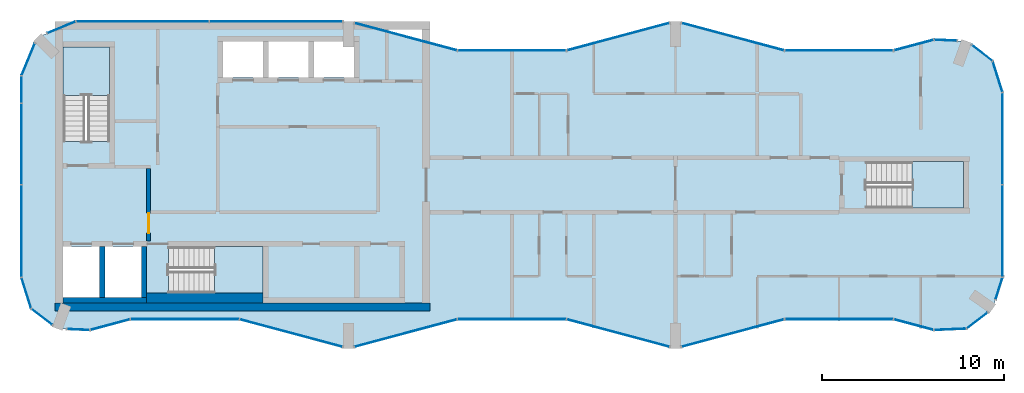
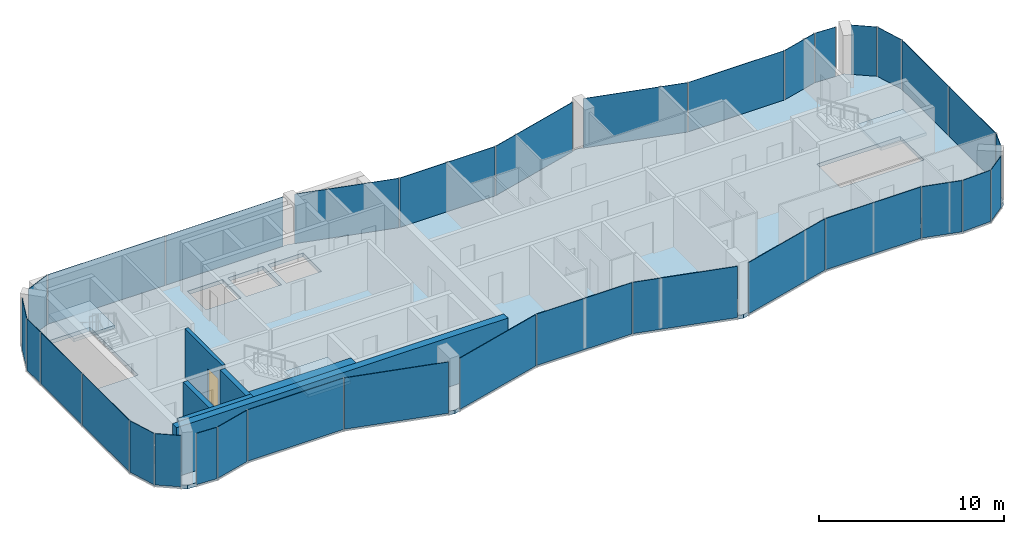
# One storey, part 6 of 10: 33 plates, 6 walls, 4 slabs, 1 door, 1 opening, 32 elements without a shape of their own.
"""IFC4 building model written with IfcOpenShell, lengths in metres."""

import ifcopenshell
import ifcopenshell.guid

model = None  # the IFC model being written
_history = None  # IfcOwnerHistory: only IFC2X3 demands one
_inside = {}  # id of a spatial element -> (the spatial element, [elements in it])
_under = {}  # id of a project, library or spatial element -> (it, [spatial elements below it])
_declared = {}  # id of a project -> (the project, [libraries it declares])
_typed = {}  # id of a type object -> (the type object, [elements of that type])
_made_of = {}  # id of a material, layer set ... -> (it, [elements and type objects made of it])


def new_model(schema):
    """Start an empty IFC model of exactly this schema.

    Asked for "IFC4X3", IfcOpenShell would pick the latest addendum, in which some entities
    have other attributes; the version numbers below select the first issue.
    IFC2X3 requires an IfcOwnerHistory on every rooted entity: one is made here for all.
    """
    global model, _history
    if schema == "IFC4X3":
        model = ifcopenshell.file(schema_version=(4, 3, 0, 0))
    else:
        model = ifcopenshell.file(schema=schema)
    _inside.clear()
    _under.clear()
    _declared.clear()
    _typed.clear()
    _made_of.clear()
    _history = None
    if model.schema == "IFC2X3":
        org = make("IfcOrganization", Name="unknown")
        user = make(
            "IfcPersonAndOrganization",
            ThePerson=make("IfcPerson", FamilyName="unknown"),
            TheOrganization=org,
        )
        app = make(
            "IfcApplication",
            ApplicationDeveloper=org,
            Version="unknown",
            ApplicationFullName="unknown",
            ApplicationIdentifier="unknown",
        )
        _history = make(
            "IfcOwnerHistory",
            OwningUser=user,
            OwningApplication=app,
            ChangeAction="ADDED",
            CreationDate=0,
        )
    return model


def make(cls, **values):
    """One entity of the class cls with the attributes given. An attribute that is None is left unset."""
    return model.create_entity(
        cls, **{name: value for name, value in values.items() if value is not None}
    )


def rooted(cls, **values):
    """An entity with a GlobalId (a new one), such as an element, a storey or a relation."""
    return make(cls, GlobalId=ifcopenshell.guid.new(), OwnerHistory=_history, **values)


def si_unit(unit_type, name, prefix=None):
    """IfcSIUnit, for example si_unit("LENGTHUNIT", "METRE", prefix="MILLI")."""
    return make("IfcSIUnit", UnitType=unit_type, Prefix=prefix, Name=name)


def assignment(units):
    """IfcUnitAssignment: the units of a project."""
    return None if units is None else make("IfcUnitAssignment", Units=units)


def point(xyz):
    """IfcCartesianPoint."""
    return None if xyz is None else make("IfcCartesianPoint", Coordinates=xyz)


def direction(xyz):
    """IfcDirection."""
    return None if xyz is None else make("IfcDirection", DirectionRatios=xyz)


def frame(location, z_axis=None, x_axis=None):
    """IfcAxis2Placement3D, a coordinate frame: its origin and axes. An axis left out is left unset."""
    return make(
        "IfcAxis2Placement3D",
        Location=point(location),
        Axis=direction(z_axis),
        RefDirection=direction(x_axis),
    )


def frame_2d(location, x_axis=None):
    """IfcAxis2Placement2D, a coordinate frame in the plane: its origin and x axis."""
    return make(
        "IfcAxis2Placement2D", Location=point(location), RefDirection=direction(x_axis)
    )


def origin():
    """The frame at (0, 0, 0) with its axes left unset."""
    return frame((0.0, 0.0, 0.0))


def origin_2d():
    """The frame at (0, 0) in the plane with its x axis left unset."""
    return frame_2d((0.0, 0.0))


def place(relative_to, where):
    """IfcLocalPlacement: puts the frame where relative to a parent placement (None: the world)."""
    return make(
        "IfcLocalPlacement", PlacementRelTo=relative_to, RelativePlacement=where
    )


def context(
    kind, dimensions, precision=None, world=None, true_north=None, identifier=None
):
    """IfcGeometricRepresentationContext, for example the 3D "Model" context."""
    return make(
        "IfcGeometricRepresentationContext",
        ContextIdentifier=identifier,
        ContextType=kind,
        CoordinateSpaceDimension=dimensions,
        Precision=precision,
        WorldCoordinateSystem=world,
        TrueNorth=true_north,
    )


def subcontext(parent, identifier, kind, view, scale=None):
    """IfcGeometricRepresentationSubContext, for example "Body" below "Model"."""
    return make(
        "IfcGeometricRepresentationSubContext",
        ContextIdentifier=identifier,
        ContextType=kind,
        ParentContext=parent,
        TargetScale=scale,
        TargetView=view,
    )


def project(units=None, contexts=None):
    """IfcProject with its units and contexts."""
    return rooted(
        "IfcProject",
        Name="project",
        RepresentationContexts=contexts,
        UnitsInContext=assignment(units),
    )


def spatial(cls, under=None, at=None, **own):
    """A site, building, storey or space (cls), placed at a placement, below another one or the project."""
    s = rooted(cls, ObjectPlacement=at, **own)
    if under is not None:
        _under.setdefault(under.id(), (under, []))[1].append(s)
    return s


def polyline(points):
    """IfcPolyline through the points."""
    return make("IfcPolyline", Points=[point(p) for p in points])


def profile(cls, at=None, kind="AREA", **sizes):
    """A parametric profile (cls). Its sizes go by their IFC names, for example OverallWidth=200.0."""
    return make(cls, ProfileType=kind, Position=at, **sizes)


def rectangle(**sizes):
    """IfcRectangleProfileDef."""
    return profile("IfcRectangleProfileDef", **sizes)


def outline(outer, holes=None, kind="AREA"):
    """IfcArbitraryClosedProfileDef: a profile drawn as a closed curve; with holes, ...WithVoids."""
    if holes is None:
        return make("IfcArbitraryClosedProfileDef", ProfileType=kind, OuterCurve=outer)
    return make(
        "IfcArbitraryProfileDefWithVoids",
        ProfileType=kind,
        OuterCurve=outer,
        InnerCurves=holes,
    )


def extrude(swept, where, along, depth):
    """IfcExtrudedAreaSolid: the profile swept, set in the frame where, extruded along a direction by depth."""
    return make(
        "IfcExtrudedAreaSolid",
        SweptArea=swept,
        Position=where,
        ExtrudedDirection=direction(along),
        Depth=depth,
    )


def shape(context_of_items, identifier, shape_type, items):
    """IfcShapeRepresentation: the items that make up one representation, for example the "Body"."""
    return make(
        "IfcShapeRepresentation",
        ContextOfItems=context_of_items,
        RepresentationIdentifier=identifier,
        RepresentationType=shape_type,
        Items=items,
    )


def material(Name=None, Category=None):
    """IfcMaterial."""
    return make("IfcMaterial", Name=Name, Category=Category)


def layer(
    of_material, thickness, ventilated=None, Name=None, Category=None, Priority=None
):
    """IfcMaterialLayer: one layer of a wall or slab, of a material (None: an air gap)."""
    return make(
        "IfcMaterialLayer",
        Material=of_material,
        LayerThickness=thickness,
        IsVentilated=ventilated,
        Name=Name,
        Category=Category,
        Priority=Priority,
    )


def layer_set(layers, Name=None):
    """IfcMaterialLayerSet."""
    return make("IfcMaterialLayerSet", MaterialLayers=layers, LayerSetName=Name)


def made_of(thing, what):
    """Note that an element or type object is made of a material, layer set ...; save() writes the relation."""
    if what is not None:
        _made_of.setdefault(what.id(), (what, []))[1].append(thing)
    return thing


def type_object(cls, material=None, **own):
    """A type object (cls), such as IfcWallType, which elements share."""
    return made_of(rooted(cls, **own), material)


def element(
    cls,
    number,
    at=None,
    inside=None,
    cuts=None,
    type_object=None,
    material=None,
    context=None,
    identifier="Body",
    shape_type=None,
    held_by="IfcProductDefinitionShape",
    body=None,
    shapes=None,
    **own,
):
    """One element of the class cls, such as IfcWall. Its Tag is "e" and its number.

    at: its placement. inside: the storey or other place that contains it. cuts: it is an
    opening in that element (IfcRelVoidsElement). A single representation is given by context,
    identifier, shape_type and body (its items); several are given by shapes. held_by: the class
    of the entity that holds the representations. save() writes the other relations.
    """
    e = rooted(cls, Tag="e%d" % number, ObjectPlacement=at, **own)
    if body is not None:
        shapes = [shape(context, identifier, shape_type, body)]
    if shapes is not None:
        e.Representation = make(held_by, Representations=shapes)
    if inside is not None:
        _inside.setdefault(inside.id(), (inside, []))[1].append(e)
    if cuts is not None:
        rooted(
            "IfcRelVoidsElement", RelatingBuildingElement=cuts, RelatedOpeningElement=e
        )
    if type_object is not None:
        _typed.setdefault(type_object.id(), (type_object, []))[1].append(e)
    return made_of(e, material)


def fill(opening, filler):
    """IfcRelFillsElement: the door or window that sits in an opening."""
    return rooted(
        "IfcRelFillsElement",
        RelatingOpeningElement=opening,
        RelatedBuildingElement=filler,
    )


def aggregate(whole, parts):
    """IfcRelAggregates: a whole, such as a stair, and the parts it consists of."""
    return rooted("IfcRelAggregates", RelatingObject=whole, RelatedObjects=parts)


def save(model, path):
    """Write the relations noted so far, then the file.

    IfcRelAggregates (storeys below a building ...), IfcRelContainedInSpatialStructure (elements
    in a storey), IfcRelDefinesByType, IfcRelAssociatesMaterial and IfcRelDeclares: one each for
    every whole, place, type object, material and project.
    """
    for whole, parts in _under.values():
        aggregate(whole, parts)
    for where, things in _inside.values():
        rooted(
            "IfcRelContainedInSpatialStructure",
            RelatedElements=things,
            RelatingStructure=where,
        )
    for kind, things in _typed.values():
        rooted("IfcRelDefinesByType", RelatedObjects=things, RelatingType=kind)
    for what, things in _made_of.values():
        rooted("IfcRelAssociatesMaterial", RelatedObjects=things, RelatingMaterial=what)
    for by, libraries in _declared.values():
        rooted("IfcRelDeclares", RelatingContext=by, RelatedDefinitions=libraries)
    model.write(path)


model = new_model("IFC4")

# Units and contexts
model_context = context("Model", 3, precision=1e-05, world=origin(), true_north=direction((0.0, 1.0)))
body_context = subcontext(model_context, "Body", "Model", "MODEL_VIEW")
ifc_project = project(units=[si_unit("LENGTHUNIT", "METRE"), si_unit("AREAUNIT", "SQUARE_METRE"), si_unit("VOLUMEUNIT", "CUBIC_METRE"), si_unit("PLANEANGLEUNIT", "RADIAN"), si_unit("MASSUNIT", "GRAM", prefix="KILO")], contexts=[model_context])

# Site, building, storey
site_placement = place(None, origin())
site = spatial("IfcSite", under=ifc_project, at=site_placement, CompositionType="ELEMENT")
building_placement = place(site_placement, origin())
building = spatial("IfcBuilding", under=site, at=building_placement, Name="Plateau Cross Towers", CompositionType="ELEMENT")
storey_placement = place(building_placement, frame((0.0, 0.0, 273.89990234375)))
storey = spatial("IfcBuildingStorey", under=building, at=storey_placement, Name="L72", CompositionType="ELEMENT", Elevation=273.89990234375)

# Curtain wall, plate
ifc_material_1 = material(Name="Dark low-iron glass", Category="glass")
ifc_layer_1 = layer(ifc_material_1, 0.239990234375)
ifc_layer_set_1 = layer_set([ifc_layer_1], Name="Dark low-iron glass")
curtain_wall_type_1 = type_object("IfcCurtainWallType", Name="Curtain wall flush unitised CW-B", PredefinedType="NOTDEFINED", material=ifc_layer_set_1)
curtain_wall_1_placement = place(storey_placement, origin())
curtain_wall_1 = element("IfcCurtainWall", 1, at=curtain_wall_1_placement, inside=storey, type_object=curtain_wall_type_1, Name="ENV/A/L72/A502_10", PredefinedType="NOTDEFINED")
ifc_layer_2 = layer(ifc_material_1, 0.031982421875)
ifc_layer_set_2 = layer_set([ifc_layer_2], Name="Dark low-iron glass")
plate_type_1 = type_object("IfcPlateType", Name="Glass panel 32 flush unitised", PredefinedType="CURTAIN_PANEL", material=ifc_layer_set_2)
plate_1_placement = place(storey_placement, frame((51.125, 1.05078125, -0.1298828125), z_axis=(0.0, 0.0, 1.0), x_axis=(0.999043701491, 0.043722791671, 0.0)))
plate_1 = element("IfcPlate", 2, at=plate_1_placement, type_object=plate_type_1, Name="CW-B panel 1", PredefinedType="CURTAIN_PANEL", context=body_context, shape_type="SweptSolid", body=[
    extrude(rectangle(XDim=1.744140625, YDim=0.031982421875, at=origin_2d()), origin(), (0.0, 0.0, 1.0), 3.3798828125),
])
aggregate(curtain_wall_1, [plate_1])

curtain_wall_2_placement = place(storey_placement, origin())
curtain_wall_2 = element("IfcCurtainWall", 3, at=curtain_wall_2_placement, inside=storey, type_object=curtain_wall_type_1, Name="ENV/A/L72/A520_11", PredefinedType="NOTDEFINED")
plate_2_placement = place(storey_placement, frame((52.60986328125, 1.5380859375, -0.1298828125), z_axis=(0.0, 0.0, 1.0), x_axis=(0.793315514529, 0.608810721331, 0.0)))
plate_2 = element("IfcPlate", 4, at=plate_2_placement, type_object=plate_type_1, Name="CW-B panel 1", PredefinedType="CURTAIN_PANEL", context=body_context, shape_type="SweptSolid", body=[
    extrude(rectangle(XDim=1.41162109375, YDim=0.031982421875, at=origin_2d()), origin(), (0.0, 0.0, 1.0), 3.3798828125),
])
aggregate(curtain_wall_2, [plate_2])

curtain_wall_3_placement = place(storey_placement, origin())
curtain_wall_3 = element("IfcCurtainWall", 5, at=curtain_wall_3_placement, inside=storey, type_object=curtain_wall_type_1, Name="ENV/A/L72/A536_27", PredefinedType="NOTDEFINED")
plate_3_placement = place(storey_placement, frame((53.805419921875, 3.292236328125, -0.1298828125), z_axis=(0.0, 0.0, 1.0), x_axis=(0.300686174994, 0.95372313811, 0.0)))
plate_3 = element("IfcPlate", 6, at=plate_3_placement, type_object=plate_type_1, Name="CW-B panel 1", PredefinedType="CURTAIN_PANEL", context=body_context, shape_type="SweptSolid", body=[
    extrude(rectangle(XDim=1.233642578125, YDim=0.031982421875, at=origin_2d()), origin(), (0.0, 0.0, 1.0), 3.3798828125),
])
aggregate(curtain_wall_3, [plate_3])

# Curtain wall, plates
curtain_wall_4_placement = place(storey_placement, origin())
curtain_wall_4 = element("IfcCurtainWall", 7, at=curtain_wall_4_placement, inside=storey, type_object=curtain_wall_type_1, Name="ENV/A/L72/A540_39", PredefinedType="NOTDEFINED")
plate_4_placement = place(storey_placement, frame((54.0, 6.45458984375, -0.1298828125), z_axis=(0.0, 0.0, 1.0), x_axis=(0.0, 1.0, 0.0)))
plate_4 = element("IfcPlate", 8, at=plate_4_placement, type_object=plate_type_1, Name="CW-B panel 1", PredefinedType="CURTAIN_PANEL", context=body_context, shape_type="SweptSolid", body=[
    extrude(rectangle(XDim=5.03076171875, YDim=0.031982421875, at=origin_2d()), origin(), (0.0, 0.0, 1.0), 3.3798828125),
])
plate_5_placement = place(storey_placement, frame((54.0, 11.54541015625, -0.1298828125), z_axis=(0.0, 0.0, 1.0), x_axis=(0.0, 1.0, 0.0)))
plate_5 = element("IfcPlate", 9, at=plate_5_placement, type_object=plate_type_1, Name="CW-B panel 2", PredefinedType="CURTAIN_PANEL", context=body_context, shape_type="SweptSolid", body=[
    extrude(rectangle(XDim=5.03076171875, YDim=0.031982421875, at=origin_2d()), origin(), (0.0, 0.0, 1.0), 3.3798828125),
])
aggregate(curtain_wall_4, [plate_4, plate_5])

# Curtain wall, plate
curtain_wall_5_placement = place(storey_placement, origin())
curtain_wall_5 = element("IfcCurtainWall", 10, at=curtain_wall_5_placement, inside=storey, type_object=curtain_wall_type_1, Name="ENV/A/L72/A540_141", PredefinedType="NOTDEFINED")
plate_6_placement = place(storey_placement, frame((53.728759765625, 14.951171875, -0.1298828125), z_axis=(0.0, 0.0, 1.0), x_axis=(-0.300686174994, 0.95372313811, 0.0)))
plate_6 = element("IfcPlate", 11, at=plate_6_placement, type_object=plate_type_1, Name="CW-B panel 1", PredefinedType="CURTAIN_PANEL", context=body_context, shape_type="SweptSolid", body=[
    extrude(rectangle(XDim=1.744140625, YDim=0.031982421875, at=origin_2d()), origin(), (0.0, 0.0, 1.0), 3.3798828125),
])
aggregate(curtain_wall_5, [plate_6])

curtain_wall_6_placement = place(storey_placement, origin())
curtain_wall_6 = element("IfcCurtainWall", 12, at=curtain_wall_6_placement, inside=storey, type_object=curtain_wall_type_1, Name="ENV/A/L72/A535_158", PredefinedType="NOTDEFINED")
plate_7_placement = place(storey_placement, frame((52.873779296875, 16.25927734375, -0.1298828125), z_axis=(0.0, 0.0, 1.0), x_axis=(-0.793315514529, 0.608810721331, 0.0)))
plate_7 = element("IfcPlate", 13, at=plate_7_placement, type_object=plate_type_1, Name="CW-B panel 1", PredefinedType="CURTAIN_PANEL", context=body_context, shape_type="SweptSolid", body=[
    extrude(rectangle(XDim=1.41162109375, YDim=0.031982421875, at=origin_2d()), origin(), (0.0, 0.0, 1.0), 3.3798828125),
])
aggregate(curtain_wall_6, [plate_7])

curtain_wall_7_placement = place(storey_placement, origin())
curtain_wall_7 = element("IfcCurtainWall", 14, at=curtain_wall_7_placement, inside=storey, type_object=curtain_wall_type_1, Name="ENV/A/L72/A515_169", PredefinedType="NOTDEFINED")
plate_8_placement = place(storey_placement, frame((50.8701171875, 16.96044921875, -0.1298828125), z_axis=(0.0, 0.0, 1.0), x_axis=(-0.999043701491, 0.043722791671, 0.0)))
plate_8 = element("IfcPlate", 15, at=plate_8_placement, type_object=plate_type_1, Name="CW-B panel 1", PredefinedType="CURTAIN_PANEL", context=body_context, shape_type="SweptSolid", body=[
    extrude(rectangle(XDim=1.233642578125, YDim=0.031982421875, at=origin_2d()), origin(), (0.0, 0.0, 1.0), 3.3798828125),
])
aggregate(curtain_wall_7, [plate_8])

# Curtain wall, plates
curtain_wall_8_placement = place(storey_placement, origin())
curtain_wall_8 = element("IfcCurtainWall", 16, at=curtain_wall_8_placement, inside=storey, type_object=curtain_wall_type_1, Name="ENV/A/L72/A177_180", PredefinedType="NOTDEFINED")
plate_9_placement = place(storey_placement, frame((14.02490234375, 18.0, -0.1298828125), z_axis=(0.0, 0.0, 1.0), x_axis=(-1.0, 0.0, 0.0)))
plate_9 = element("IfcPlate", 17, at=plate_9_placement, type_object=plate_type_1, Name="CW-B panel 1", PredefinedType="CURTAIN_PANEL", context=body_context, shape_type="SweptSolid", body=[
    extrude(rectangle(XDim=7.2900390625, YDim=0.031982421875, at=origin_2d()), origin(), (0.0, 0.0, 1.0), 3.3798828125),
])
plate_10_placement = place(storey_placement, frame((6.675048828125, 18.0, -0.1298828125), z_axis=(0.0, 0.0, 1.0), x_axis=(-1.0, 0.0, 0.0)))
plate_10 = element("IfcPlate", 18, at=plate_10_placement, type_object=plate_type_1, Name="CW-B panel 2", PredefinedType="CURTAIN_PANEL", context=body_context, shape_type="SweptSolid", body=[
    extrude(rectangle(XDim=7.2900390625, YDim=0.031982421875, at=origin_2d()), origin(), (0.0, 0.0, 1.0), 3.3798828125),
])
aggregate(curtain_wall_8, [plate_9, plate_10])

# Curtain wall, plate
curtain_wall_9_placement = place(storey_placement, origin())
curtain_wall_9 = element("IfcCurtainWall", 19, at=curtain_wall_9_placement, inside=storey, type_object=curtain_wall_type_1, Name="ENV/A/L72/A30_180", PredefinedType="NOTDEFINED")
plate_11_placement = place(storey_placement, frame((2.20166015625, 17.66943359375, -0.1298828125), z_axis=(0.0, 0.0, 1.0), x_axis=(-0.923879457699, -0.382683612978, 0.0)))
plate_11 = element("IfcPlate", 20, at=plate_11_placement, type_object=plate_type_1, Name="CW-B panel 1", PredefinedType="CURTAIN_PANEL", context=body_context, shape_type="SweptSolid", body=[
    extrude(rectangle(XDim=1.668212890625, YDim=0.031982421875, at=origin_2d()), origin(), (0.0, 0.0, 1.0), 3.3798828125),
])
aggregate(curtain_wall_9, [plate_11])

curtain_wall_10_placement = place(storey_placement, origin())
curtain_wall_10 = element("IfcCurtainWall", 21, at=curtain_wall_10_placement, inside=storey, type_object=curtain_wall_type_1, Name="ENV/A/L72/A7_168", PredefinedType="NOTDEFINED")
plate_12_placement = place(storey_placement, frame((0.3740234375, 15.90283203125, -0.1298828125), z_axis=(0.0, 0.0, 1.0), x_axis=(-0.382683612978, -0.923879457699, 0.0)))
plate_12 = element("IfcPlate", 22, at=plate_12_placement, type_object=plate_type_1, Name="CW-B panel 1", PredefinedType="CURTAIN_PANEL", context=body_context, shape_type="SweptSolid", body=[
    extrude(rectangle(XDim=1.894775390625, YDim=0.031982421875, at=origin_2d()), origin(), (0.0, 0.0, 1.0), 3.3798828125),
])
aggregate(curtain_wall_10, [plate_12])

# Curtain wall, plates
curtain_wall_11_placement = place(storey_placement, origin())
curtain_wall_11 = element("IfcCurtainWall", 23, at=curtain_wall_11_placement, inside=storey, type_object=curtain_wall_type_1, Name="ENV/A/L72/A0_150", PredefinedType="NOTDEFINED")
plate_13_placement = place(storey_placement, frame((0.0, 14.25, -0.1298828125), z_axis=(0.0, 0.0, 1.0), x_axis=(0.0, -1.0, 0.0)))
plate_13 = element("IfcPlate", 24, at=plate_13_placement, type_object=plate_type_1, Name="CW-B panel 1", PredefinedType="CURTAIN_PANEL", context=body_context, shape_type="SweptSolid", body=[
    extrude(rectangle(XDim=1.43994140625, YDim=0.031982421875, at=origin_2d()), origin(), (0.0, 0.0, 1.0), 3.3798828125),
])
plate_14_placement = place(storey_placement, frame((0.0, 11.25, -0.1298828125), z_axis=(0.0, 0.0, 1.0), x_axis=(0.0, -1.0, 0.0)))
plate_14 = element("IfcPlate", 25, at=plate_14_placement, type_object=plate_type_1, Name="CW-B panel 2", PredefinedType="CURTAIN_PANEL", context=body_context, shape_type="SweptSolid", body=[
    extrude(rectangle(XDim=4.43994140625, YDim=0.031982421875, at=origin_2d()), origin(), (0.0, 0.0, 1.0), 3.3798828125),
])
plate_15_placement = place(storey_placement, frame((0.0, 6.45458984375, -0.1298828125), z_axis=(0.0, 0.0, 1.0), x_axis=(0.0, -1.0, 0.0)))
plate_15 = element("IfcPlate", 26, at=plate_15_placement, type_object=plate_type_1, Name="CW-B panel 3", PredefinedType="CURTAIN_PANEL", context=body_context, shape_type="SweptSolid", body=[
    extrude(rectangle(XDim=5.03076171875, YDim=0.031982421875, at=origin_2d()), origin(), (0.0, 0.0, 1.0), 3.3798828125),
])
aggregate(curtain_wall_11, [plate_13, plate_14, plate_15])

# Curtain wall, plate
curtain_wall_12_placement = place(storey_placement, origin())
curtain_wall_12 = element("IfcCurtainWall", 27, at=curtain_wall_12_placement, inside=storey, type_object=curtain_wall_type_1, Name="ENV/A/L72/A0_39", PredefinedType="NOTDEFINED")
plate_16_placement = place(storey_placement, frame((0.271240234375, 3.048828125, -0.1298828125), z_axis=(0.0, 0.0, 1.0), x_axis=(0.300686174994, -0.95372313811, 0.0)))
plate_16 = element("IfcPlate", 28, at=plate_16_placement, type_object=plate_type_1, Name="CW-B panel 1", PredefinedType="CURTAIN_PANEL", context=body_context, shape_type="SweptSolid", body=[
    extrude(rectangle(XDim=1.744140625, YDim=0.031982421875, at=origin_2d()), origin(), (0.0, 0.0, 1.0), 3.3798828125),
])
aggregate(curtain_wall_12, [plate_16])

curtain_wall_13_placement = place(storey_placement, origin())
curtain_wall_13 = element("IfcCurtainWall", 29, at=curtain_wall_13_placement, inside=storey, type_object=curtain_wall_type_1, Name="ENV/A/L72/A5_22", PredefinedType="NOTDEFINED")
plate_17_placement = place(storey_placement, frame((1.126220703125, 1.74072265625, -0.1298828125), z_axis=(0.0, 0.0, 1.0), x_axis=(0.793315514529, -0.608810721331, 0.0)))
plate_17 = element("IfcPlate", 30, at=plate_17_placement, type_object=plate_type_1, Name="CW-B panel 1", PredefinedType="CURTAIN_PANEL", context=body_context, shape_type="SweptSolid", body=[
    extrude(rectangle(XDim=1.41162109375, YDim=0.031982421875, at=origin_2d()), origin(), (0.0, 0.0, 1.0), 3.3798828125),
])
aggregate(curtain_wall_13, [plate_17])

curtain_wall_14_placement = place(storey_placement, origin())
curtain_wall_14 = element("IfcCurtainWall", 31, at=curtain_wall_14_placement, inside=storey, type_object=curtain_wall_type_1, Name="ENV/A/L72/A25_11", PredefinedType="NOTDEFINED")
plate_18_placement = place(storey_placement, frame((3.1298828125, 1.03955078125, -0.1298828125), z_axis=(0.0, 0.0, 1.0), x_axis=(0.999043701491, -0.043722791671, 0.0)))
plate_18 = element("IfcPlate", 32, at=plate_18_placement, type_object=plate_type_1, Name="CW-B panel 1", PredefinedType="CURTAIN_PANEL", context=body_context, shape_type="SweptSolid", body=[
    extrude(rectangle(XDim=1.233642578125, YDim=0.031982421875, at=origin_2d()), origin(), (0.0, 0.0, 1.0), 3.3798828125),
])
aggregate(curtain_wall_14, [plate_18])

ifc_layer_3 = layer(ifc_material_1, 0.260009765625)
ifc_layer_set_3 = layer_set([ifc_layer_3], Name="Dark low-iron glass")
curtain_wall_type_2 = type_object("IfcCurtainWallType", Name="Curtain wall fluted unitised CW-A", PredefinedType="NOTDEFINED", material=ifc_layer_set_3)
curtain_wall_15_placement = place(storey_placement, origin())
curtain_wall_15 = element("IfcCurtainWall", 33, at=curtain_wall_15_placement, inside=storey, type_object=curtain_wall_type_2, Name="ENV/A/L72/A38_10", PredefinedType="NOTDEFINED")
ifc_layer_4 = layer(ifc_material_1, 0.035888671875)
ifc_layer_set_4 = layer_set([ifc_layer_4], Name="Dark low-iron glass")
plate_type_2 = type_object("IfcPlateType", Name="Glass panel 36 fluted unitised", PredefinedType="CURTAIN_PANEL", material=ifc_layer_set_4)
plate_19_placement = place(storey_placement, frame((4.887939453125, 1.30908203125, -0.1298828125), z_axis=(0.0, 0.0, 1.0), x_axis=(0.965957962328, 0.258699081978, 0.0)))
plate_19 = element("IfcPlate", 34, at=plate_19_placement, type_object=plate_type_2, Name="CW-A panel 1", PredefinedType="CURTAIN_PANEL", context=body_context, shape_type="SweptSolid", body=[
    extrude(rectangle(XDim=2.2421875, YDim=0.035888671875, at=origin_2d()), origin(), (0.0, 0.0, 1.0), 3.3798828125),
])
aggregate(curtain_wall_15, [plate_19])

curtain_wall_16_placement = place(storey_placement, origin())
curtain_wall_16 = element("IfcCurtainWall", 35, at=curtain_wall_16_placement, inside=storey, type_object=curtain_wall_type_2, Name="ENV/A/L72/A60_16", PredefinedType="NOTDEFINED")
plate_20_placement = place(storey_placement, frame((9.0, 1.60693359375, -0.1298828125), z_axis=(0.0, 0.0, 1.0), x_axis=(1.0, 0.0, 0.0)))
plate_20 = element("IfcPlate", 36, at=plate_20_placement, type_object=plate_type_2, Name="CW-A panel 1", PredefinedType="CURTAIN_PANEL", context=body_context, shape_type="SweptSolid", body=[
    extrude(rectangle(XDim=5.93994140625, YDim=0.035888671875, at=origin_2d()), origin(), (0.0, 0.0, 1.0), 3.3798828125),
])
aggregate(curtain_wall_16, [plate_20])

curtain_wall_17_placement = place(storey_placement, origin())
curtain_wall_17 = element("IfcCurtainWall", 37, at=curtain_wall_17_placement, inside=storey, type_object=curtain_wall_type_2, Name="ENV/A/L72/A120_16", PredefinedType="NOTDEFINED")
plate_21_placement = place(storey_placement, frame((14.841064453125, 0.845947265625, -0.1298828125), z_axis=(0.0, 0.0, 1.0), x_axis=(0.965957983404, -0.258699003279, 0.0)))
plate_21 = element("IfcPlate", 38, at=plate_21_placement, type_object=plate_type_2, Name="CW-A panel 1", PredefinedType="CURTAIN_PANEL", context=body_context, shape_type="SweptSolid", body=[
    extrude(rectangle(XDim=5.822265625, YDim=0.035888671875, at=origin_2d()), origin(), (0.0, 0.0, 1.0), 3.3798828125),
])
aggregate(curtain_wall_17, [plate_21])

curtain_wall_18_placement = place(storey_placement, origin())
curtain_wall_18 = element("IfcCurtainWall", 39, at=curtain_wall_18_placement, inside=storey, type_object=curtain_wall_type_2, Name="ENV/A/L72/A183_1", PredefinedType="NOTDEFINED")
plate_22_placement = place(storey_placement, frame((21.158935546875, 0.845947265625, -0.1298828125), z_axis=(0.0, 0.0, 1.0), x_axis=(0.965957983404, 0.258699003279, 0.0)))
plate_22 = element("IfcPlate", 40, at=plate_22_placement, type_object=plate_type_2, Name="CW-A panel 1", PredefinedType="CURTAIN_PANEL", context=body_context, shape_type="SweptSolid", body=[
    extrude(rectangle(XDim=5.822265625, YDim=0.035888671875, at=origin_2d()), origin(), (0.0, 0.0, 1.0), 3.3798828125),
])
aggregate(curtain_wall_18, [plate_22])

curtain_wall_19_placement = place(storey_placement, origin())
curtain_wall_19 = element("IfcCurtainWall", 41, at=curtain_wall_19_placement, inside=storey, type_object=curtain_wall_type_2, Name="ENV/A/L72/A240_16", PredefinedType="NOTDEFINED")
plate_23_placement = place(storey_placement, frame((27.0, 1.60693359375, -0.1298828125), z_axis=(0.0, 0.0, 1.0), x_axis=(1.0, 0.0, 0.0)))
plate_23 = element("IfcPlate", 42, at=plate_23_placement, type_object=plate_type_2, Name="CW-A panel 1", PredefinedType="CURTAIN_PANEL", context=body_context, shape_type="SweptSolid", body=[
    extrude(rectangle(XDim=5.93994140625, YDim=0.035888671875, at=origin_2d()), origin(), (0.0, 0.0, 1.0), 3.3798828125),
])
aggregate(curtain_wall_19, [plate_23])

curtain_wall_20_placement = place(storey_placement, origin())
curtain_wall_20 = element("IfcCurtainWall", 43, at=curtain_wall_20_placement, inside=storey, type_object=curtain_wall_type_2, Name="ENV/A/L72/A300_16", PredefinedType="NOTDEFINED")
plate_24_placement = place(storey_placement, frame((32.841064453125, 0.845947265625, -0.1298828125), z_axis=(0.0, 0.0, 1.0), x_axis=(0.965957983404, -0.258699003279, 0.0)))
plate_24 = element("IfcPlate", 44, at=plate_24_placement, type_object=plate_type_2, Name="CW-A panel 1", PredefinedType="CURTAIN_PANEL", context=body_context, shape_type="SweptSolid", body=[
    extrude(rectangle(XDim=5.822265625, YDim=0.035888671875, at=origin_2d()), origin(), (0.0, 0.0, 1.0), 3.3798828125),
])
aggregate(curtain_wall_20, [plate_24])

curtain_wall_21_placement = place(storey_placement, origin())
curtain_wall_21 = element("IfcCurtainWall", 45, at=curtain_wall_21_placement, inside=storey, type_object=curtain_wall_type_2, Name="ENV/A/L72/A363_1", PredefinedType="NOTDEFINED")
plate_25_placement = place(storey_placement, frame((39.158935546875, 0.845947265625, -0.1298828125), z_axis=(0.0, 0.0, 1.0), x_axis=(0.965957983404, 0.258699003279, 0.0)))
plate_25 = element("IfcPlate", 46, at=plate_25_placement, type_object=plate_type_2, Name="CW-A panel 1", PredefinedType="CURTAIN_PANEL", context=body_context, shape_type="SweptSolid", body=[
    extrude(rectangle(XDim=5.822265625, YDim=0.035888671875, at=origin_2d()), origin(), (0.0, 0.0, 1.0), 3.3798828125),
])
aggregate(curtain_wall_21, [plate_25])

curtain_wall_22_placement = place(storey_placement, origin())
curtain_wall_22 = element("IfcCurtainWall", 47, at=curtain_wall_22_placement, inside=storey, type_object=curtain_wall_type_2, Name="ENV/A/L72/A420_16", PredefinedType="NOTDEFINED")
plate_26_placement = place(storey_placement, frame((45.0, 1.60693359375, -0.1298828125), z_axis=(0.0, 0.0, 1.0), x_axis=(1.0, 0.0, 0.0)))
plate_26 = element("IfcPlate", 48, at=plate_26_placement, type_object=plate_type_2, Name="CW-A panel 1", PredefinedType="CURTAIN_PANEL", context=body_context, shape_type="SweptSolid", body=[
    extrude(rectangle(XDim=5.93994140625, YDim=0.035888671875, at=origin_2d()), origin(), (0.0, 0.0, 1.0), 3.3798828125),
])
aggregate(curtain_wall_22, [plate_26])

curtain_wall_23_placement = place(storey_placement, origin())
curtain_wall_23 = element("IfcCurtainWall", 49, at=curtain_wall_23_placement, inside=storey, type_object=curtain_wall_type_2, Name="ENV/A/L72/A480_16", PredefinedType="NOTDEFINED")
plate_27_placement = place(storey_placement, frame((49.112060546875, 1.30908203125, -0.1298828125), z_axis=(0.0, 0.0, 1.0), x_axis=(0.965957962328, -0.258699081978, 0.0)))
plate_27 = element("IfcPlate", 50, at=plate_27_placement, type_object=plate_type_2, Name="CW-A panel 1", PredefinedType="CURTAIN_PANEL", context=body_context, shape_type="SweptSolid", body=[
    extrude(rectangle(XDim=2.2421875, YDim=0.035888671875, at=origin_2d()), origin(), (0.0, 0.0, 1.0), 3.3798828125),
])
aggregate(curtain_wall_23, [plate_27])

curtain_wall_24_placement = place(storey_placement, origin())
curtain_wall_24 = element("IfcCurtainWall", 51, at=curtain_wall_24_placement, inside=storey, type_object=curtain_wall_type_2, Name="ENV/A/L72/A502_170", PredefinedType="NOTDEFINED")
plate_28_placement = place(storey_placement, frame((49.112060546875, 16.69091796875, -0.1298828125), z_axis=(0.0, 0.0, 1.0), x_axis=(-0.965957962328, -0.258699081978, 0.0)))
plate_28 = element("IfcPlate", 52, at=plate_28_placement, type_object=plate_type_2, Name="CW-A panel 1", PredefinedType="CURTAIN_PANEL", context=body_context, shape_type="SweptSolid", body=[
    extrude(rectangle(XDim=2.2421875, YDim=0.035888671875, at=origin_2d()), origin(), (0.0, 0.0, 1.0), 3.3798828125),
])
aggregate(curtain_wall_24, [plate_28])

curtain_wall_25_placement = place(storey_placement, origin())
curtain_wall_25 = element("IfcCurtainWall", 53, at=curtain_wall_25_placement, inside=storey, type_object=curtain_wall_type_2, Name="ENV/A/L72/A480_164", PredefinedType="NOTDEFINED")
plate_29_placement = place(storey_placement, frame((45.0, 16.39306640625, -0.1298828125), z_axis=(0.0, 0.0, 1.0), x_axis=(-1.0, 0.0, 0.0)))
plate_29 = element("IfcPlate", 54, at=plate_29_placement, type_object=plate_type_2, Name="CW-A panel 1", PredefinedType="CURTAIN_PANEL", context=body_context, shape_type="SweptSolid", body=[
    extrude(rectangle(XDim=5.93994140625, YDim=0.035888671875, at=origin_2d()), origin(), (0.0, 0.0, 1.0), 3.3798828125),
])
aggregate(curtain_wall_25, [plate_29])

curtain_wall_26_placement = place(storey_placement, origin())
curtain_wall_26 = element("IfcCurtainWall", 55, at=curtain_wall_26_placement, inside=storey, type_object=curtain_wall_type_2, Name="ENV/A/L72/A420_164", PredefinedType="NOTDEFINED")
plate_30_placement = place(storey_placement, frame((39.158935546875, 17.154052734375, -0.1298828125), z_axis=(0.0, 0.0, 1.0), x_axis=(-0.965957983404, 0.258699003279, 0.0)))
plate_30 = element("IfcPlate", 56, at=plate_30_placement, type_object=plate_type_2, Name="CW-A panel 1", PredefinedType="CURTAIN_PANEL", context=body_context, shape_type="SweptSolid", body=[
    extrude(rectangle(XDim=5.822265625, YDim=0.035888671875, at=origin_2d()), origin(), (0.0, 0.0, 1.0), 3.3798828125),
])
aggregate(curtain_wall_26, [plate_30])

curtain_wall_27_placement = place(storey_placement, origin())
curtain_wall_27 = element("IfcCurtainWall", 57, at=curtain_wall_27_placement, inside=storey, type_object=curtain_wall_type_2, Name="ENV/A/L72/A357_179", PredefinedType="NOTDEFINED")
plate_31_placement = place(storey_placement, frame((32.841064453125, 17.154052734375, -0.1298828125), z_axis=(0.0, 0.0, 1.0), x_axis=(-0.965957983404, -0.258699003279, 0.0)))
plate_31 = element("IfcPlate", 58, at=plate_31_placement, type_object=plate_type_2, Name="CW-A panel 1", PredefinedType="CURTAIN_PANEL", context=body_context, shape_type="SweptSolid", body=[
    extrude(rectangle(XDim=5.822265625, YDim=0.035888671875, at=origin_2d()), origin(), (0.0, 0.0, 1.0), 3.3798828125),
])
aggregate(curtain_wall_27, [plate_31])

curtain_wall_28_placement = place(storey_placement, origin())
curtain_wall_28 = element("IfcCurtainWall", 59, at=curtain_wall_28_placement, inside=storey, type_object=curtain_wall_type_2, Name="ENV/A/L72/A300_164", PredefinedType="NOTDEFINED")
plate_32_placement = place(storey_placement, frame((27.0, 16.39306640625, -0.1298828125), z_axis=(0.0, 0.0, 1.0), x_axis=(-1.0, 0.0, 0.0)))
plate_32 = element("IfcPlate", 60, at=plate_32_placement, type_object=plate_type_2, Name="CW-A panel 1", PredefinedType="CURTAIN_PANEL", context=body_context, shape_type="SweptSolid", body=[
    extrude(rectangle(XDim=5.93994140625, YDim=0.035888671875, at=origin_2d()), origin(), (0.0, 0.0, 1.0), 3.3798828125),
])
aggregate(curtain_wall_28, [plate_32])

curtain_wall_29_placement = place(storey_placement, origin())
curtain_wall_29 = element("IfcCurtainWall", 61, at=curtain_wall_29_placement, inside=storey, type_object=curtain_wall_type_2, Name="ENV/A/L72/A240_164", PredefinedType="NOTDEFINED")
plate_33_placement = place(storey_placement, frame((21.158935546875, 17.154052734375, -0.1298828125), z_axis=(0.0, 0.0, 1.0), x_axis=(-0.965957983404, 0.258699003279, 0.0)))
plate_33 = element("IfcPlate", 62, at=plate_33_placement, type_object=plate_type_2, Name="CW-A panel 1", PredefinedType="CURTAIN_PANEL", context=body_context, shape_type="SweptSolid", body=[
    extrude(rectangle(XDim=5.822265625, YDim=0.035888671875, at=origin_2d()), origin(), (0.0, 0.0, 1.0), 3.3798828125),
])
aggregate(curtain_wall_29, [plate_33])

# Slab
ifc_material_2 = material(Name="Concrete C40/50", Category="concrete")
ifc_layer_5 = layer(ifc_material_2, 0.25)
ifc_layer_set_5 = layer_set([ifc_layer_5], Name="Concrete C40/50")
slab_type_1 = type_object("IfcSlabType", Name="Post-tensioned flat plate slab 250", PredefinedType="FLOOR", material=ifc_layer_set_5)
slab_1_placement = place(storey_placement, frame((0.0, 0.0, -0.25)))
element("IfcSlab", 63, at=slab_1_placement, inside=storey, type_object=slab_type_1, Name="SL-A-L72", PredefinedType="FLOOR", context=body_context, shape_type="SweptSolid", body=[
    extrude(outline(polyline([(1.9736328125, 1.090087890625), (0.54248046875, 2.1884765625), (0.0, 3.9091796875), (0.0, 15.0), (0.878662109375, 17.121337890625), (3.0, 18.0), (18.0, 18.0), (24.0, 16.39306640625), (30.0, 16.39306640625), (36.0, 18.0), (42.0, 16.39306640625), (48.0, 16.39306640625), (50.223876953125, 16.98876953125), (52.0263671875, 16.909912109375), (53.45751953125, 15.8115234375), (54.0, 14.0908203125), (54.0, 3.9091796875), (53.45751953125, 2.1884765625), (52.0263671875, 1.090087890625), (50.223876953125, 1.01123046875), (48.0, 1.60693359375), (42.0, 1.60693359375), (36.0, 0.0), (30.0, 1.60693359375), (24.0, 1.60693359375), (18.0, 0.0), (12.0, 1.60693359375), (6.0, 1.60693359375), (3.776123046875, 1.01123046875), (1.9736328125, 1.090087890625)]), holes=[polyline([(4.300048828125, 5.60009765625), (2.300048828125, 5.60009765625), (2.300048828125, 2.800048828125), (4.300048828125, 2.800048828125), (4.300048828125, 5.60009765625)]), polyline([(6.60009765625, 5.60009765625), (4.60009765625, 5.60009765625), (4.60009765625, 2.800048828125), (6.60009765625, 2.800048828125), (6.60009765625, 5.60009765625)]), polyline([(13.300048828125, 5.60009765625), (8.10009765625, 5.60009765625), (8.10009765625, 3.050048828125), (13.300048828125, 3.050048828125), (13.300048828125, 5.60009765625)]), polyline([(51.699951171875, 10.27490234375), (46.5, 10.27490234375), (46.5, 7.72509765625), (51.699951171875, 7.72509765625), (51.699951171875, 10.27490234375)]), polyline([(2.300048828125, 16.60009765625), (2.300048828125, 11.39990234375), (4.85009765625, 11.39990234375), (4.85009765625, 16.60009765625), (2.300048828125, 16.60009765625)]), polyline([(13.300048828125, 16.89990234375), (11.10009765625, 16.89990234375), (11.10009765625, 14.89990234375), (13.300048828125, 14.89990234375), (13.300048828125, 16.89990234375)]), polyline([(15.800048828125, 16.89990234375), (13.60009765625, 16.89990234375), (13.60009765625, 14.89990234375), (15.800048828125, 14.89990234375), (15.800048828125, 16.89990234375)]), polyline([(18.300048828125, 16.89990234375), (16.10009765625, 16.89990234375), (16.10009765625, 14.89990234375), (18.300048828125, 14.89990234375), (18.300048828125, 16.89990234375)])]), origin(), (0.0, 0.0, 1.0), 0.25),
])

# Stair, slab
stair_type = type_object("IfcStairType", Name="ST-TWR", PredefinedType="HALF_TURN_STAIR", material=ifc_material_2)
stair_1_placement = place(storey_placement, origin())
stair_1 = element("IfcStair", 64, at=stair_1_placement, inside=storey, type_object=stair_type, Name="L72 Protected Exit Stair ST-1", PredefinedType="HALF_TURN_STAIR")
ifc_layer_6 = layer(ifc_material_2, 0.199951171875)
ifc_layer_set_6 = layer_set([ifc_layer_6], Name="Concrete C40/50")
slab_type_2 = type_object("IfcSlabType", Name="SL-LANDING", PredefinedType="LANDING", material=ifc_layer_set_6)
slab_2_placement = place(storey_placement, frame((0.0, 0.0, 1.550048828125)))
slab_2 = element("IfcSlab", 65, at=slab_2_placement, type_object=slab_type_2, Name="ST-1 landing 1", PredefinedType="LANDING", context=body_context, shape_type="SweptSolid", body=[
    extrude(outline(polyline([(4.85009765625, 13.919921875), (4.85009765625, 16.60009765625), (2.300048828125, 16.60009765625), (2.300048828125, 13.919921875), (4.85009765625, 13.919921875)])), origin(), (0.0, 0.0, 1.0), 0.199951171875),
])
aggregate(stair_1, [slab_2])

stair_2_placement = place(storey_placement, origin())
stair_2 = element("IfcStair", 66, at=stair_2_placement, inside=storey, type_object=stair_type, Name="L72 Protected Exit Stair ST-2", PredefinedType="HALF_TURN_STAIR")
slab_3_placement = place(storey_placement, frame((0.0, 0.0, 1.550048828125)))
slab_3 = element("IfcSlab", 67, at=slab_3_placement, type_object=slab_type_2, Name="ST-2 landing 1", PredefinedType="LANDING", context=body_context, shape_type="SweptSolid", body=[
    extrude(outline(polyline([(10.6201171875, 3.050048828125), (13.300048828125, 3.050048828125), (13.300048828125, 5.60009765625), (10.6201171875, 5.60009765625), (10.6201171875, 3.050048828125)])), origin(), (0.0, 0.0, 1.0), 0.199951171875),
])
aggregate(stair_2, [slab_3])

stair_3_placement = place(storey_placement, origin())
stair_3 = element("IfcStair", 68, at=stair_3_placement, inside=storey, type_object=stair_type, Name="L72 Protected Exit Stair E", PredefinedType="HALF_TURN_STAIR")
slab_4_placement = place(storey_placement, frame((0.0, 0.0, 1.550048828125)))
slab_4 = element("IfcSlab", 69, at=slab_4_placement, type_object=slab_type_2, Name="ES-E landing 1", PredefinedType="LANDING", context=body_context, shape_type="SweptSolid", body=[
    extrude(outline(polyline([(49.02001953125, 7.72509765625), (51.85009765625, 7.72509765625), (51.85009765625, 10.27490234375), (49.02001953125, 10.27490234375), (49.02001953125, 7.72509765625)])), origin(), (0.0, 0.0, 1.0), 0.199951171875),
])
aggregate(stair_3, [slab_4])

# Wall, opening, door
ifc_material_3 = material(Name="Concrete block, plastered both sides", Category="concrete")
ifc_layer_7 = layer(ifc_material_3, 0.199951171875)
ifc_layer_set_7 = layer_set([ifc_layer_7], Name="Concrete block, plastered both sides")
wall_type_1 = type_object("IfcWallType", Name="Core partition 200", PredefinedType="PARTITIONING", material=ifc_layer_set_7)
wall_1_placement = place(storey_placement, frame((7.0, 5.89990234375, 0.0), z_axis=(0.0, 0.0, 1.0), x_axis=(0.0, 1.0, 0.0)))
wall_1 = element("IfcWall", 70, at=wall_1_placement, inside=storey, type_object=wall_type_1, Name="Core partition", PredefinedType="PARTITIONING", context=body_context, shape_type="SweptSolid", body=[
    extrude(rectangle(XDim=4.0, YDim=0.199951171875, at=frame_2d((2.0, 0.0))), origin(), (0.0, 0.0, 1.0), 3.25),
])
opening_placement = place(wall_1_placement, frame((0.449951171875, 0.0, 0.0)))
opening = element("IfcOpeningElement", 71, at=opening_placement, cuts=wall_1, Name="Opening FFD", PredefinedType="OPENING", context=body_context, shape_type="SweptSolid", body=[
    extrude(rectangle(XDim=1.10009765625, YDim=2.10009765625, at=frame_2d((0.550048828125, 1.050048828125))), frame((0.0, 0.10986328125, 0.0), z_axis=(0.0, -1.0, 0.0), x_axis=(1.0, 0.0, 0.0)), (0.0, 0.0, 1.0), 0.219970703125),
])
ifc_material_4 = material(Name="Steel, fire-resisting leaf", Category="steel")
door_type = type_object("IfcDoorType", Name="Firefighting lobby door 1100", OperationType="NOTDEFINED", PredefinedType="DOOR", material=ifc_material_4)
door_placement = place(opening_placement, origin())
door = element("IfcDoor", 72, at=door_placement, inside=storey, type_object=door_type, Name="Firefighting lobby door FFD", OperationType="SINGLE_SWING_LEFT", OverallHeight=2.10009765625, OverallWidth=1.10009765625, PredefinedType="DOOR", context=body_context, shape_type="SweptSolid", body=[
    extrude(rectangle(XDim=1.10009765625, YDim=2.10009765625, at=frame_2d((0.550048828125, 1.050048828125))), frame((0.0, 0.02490234375, 0.0), z_axis=(0.0, -1.0, 0.0), x_axis=(1.0, 0.0, 0.0)), (0.0, 0.0, 1.0), 0.050048828125),
])
fill(opening, door)

# Walls
ifc_material_5 = material(Name="Concrete C60/75", Category="concrete")
ifc_layer_8 = layer(ifc_material_5, 0.300048828125)
ifc_layer_set_8 = layer_set([ifc_layer_8], Name="Concrete C60/75")
wall_type_2 = type_object("IfcWallType", Name="Core shaft wall 300", PredefinedType="SHEAR", material=ifc_layer_set_8)
wall_2_placement = place(storey_placement, frame((2.300048828125, 2.64990234375, 0.0), z_axis=(0.0, 0.0, 1.0), x_axis=(1.0, 0.0, 0.0)))
element("IfcWall", 73, at=wall_2_placement, inside=storey, type_object=wall_type_2, Name="A-sb-back1@L72", PredefinedType="SHEAR", context=body_context, shape_type="SweptSolid", body=[
    extrude(rectangle(XDim=4.599853515625, YDim=0.300048828125, at=frame_2d((2.2998046875, 0.0))), origin(), (0.0, 0.0, 1.0), 3.25),
])
for number, where, z_axis, x_axis, name in (
    (74, (4.449951171875, 2.800048828125, 0.0), (0.0, 0.0, 1.0), (0.0, 1.0, 0.0), "A-sb-v1@L72"),
    (75, (6.75, 2.800048828125, 0.0), (0.0, 0.0, 1.0), (0.0, 1.0, 0.0), "A-sb-v2@L72"),
):
    element("IfcWall", number, at=place(storey_placement, frame(where, z_axis=z_axis, x_axis=x_axis)), inside=storey, type_object=wall_type_2, Name=name, PredefinedType="SHEAR", context=body_context, shape_type="SweptSolid", body=[
        extrude(rectangle(XDim=2.800048828125, YDim=0.300048828125, at=frame_2d((1.39990234375, 0.0))), origin(), (0.0, 0.0, 1.0), 3.25),
    ])
ifc_layer_9 = layer(ifc_material_5, 0.550048828125)
ifc_layer_set_9 = layer_set([ifc_layer_9], Name="Concrete C60/75")
wall_type_3 = type_object("IfcWallType", Name="Core shaft wall 550", PredefinedType="SHEAR", material=ifc_layer_set_9)
wall_3_placement = place(storey_placement, frame((6.89990234375, 2.77490234375, 0.0), z_axis=(0.0, 0.0, 1.0), x_axis=(1.0, 0.0, 0.0)))
element("IfcWall", 76, at=wall_3_placement, inside=storey, type_object=wall_type_3, Name="A-sb-back2@L72", PredefinedType="SHEAR", context=body_context, shape_type="SweptSolid", body=[
    extrude(rectangle(XDim=6.400146484375, YDim=0.550048828125, at=frame_2d((3.2001953125, 0.0))), origin(), (0.0, 0.0, 1.0), 3.25),
])
ifc_layer_10 = layer(ifc_material_5, 0.449951171875)
ifc_layer_set_10 = layer_set([ifc_layer_10], Name="Concrete C60/75")
wall_type_4 = type_object("IfcWallType", Name="Core shell wall 450", PredefinedType="SHEAR", material=ifc_layer_set_10)
wall_4_placement = place(storey_placement, frame((1.85009765625, 2.27490234375, 0.0), z_axis=(0.0, 0.0, 1.0), x_axis=(1.0, 0.0, 0.0)))
element("IfcWall", 77, at=wall_4_placement, inside=storey, type_object=wall_type_4, Name="A-core-S@L72", PredefinedType="SHEAR", context=body_context, shape_type="SweptSolid", body=[
    extrude(rectangle(XDim=20.64990234375, YDim=0.449951171875, at=frame_2d((10.324951171875, 0.0))), origin(), (0.0, 0.0, 1.0), 3.25),
])

save(model, "model.ifc")
